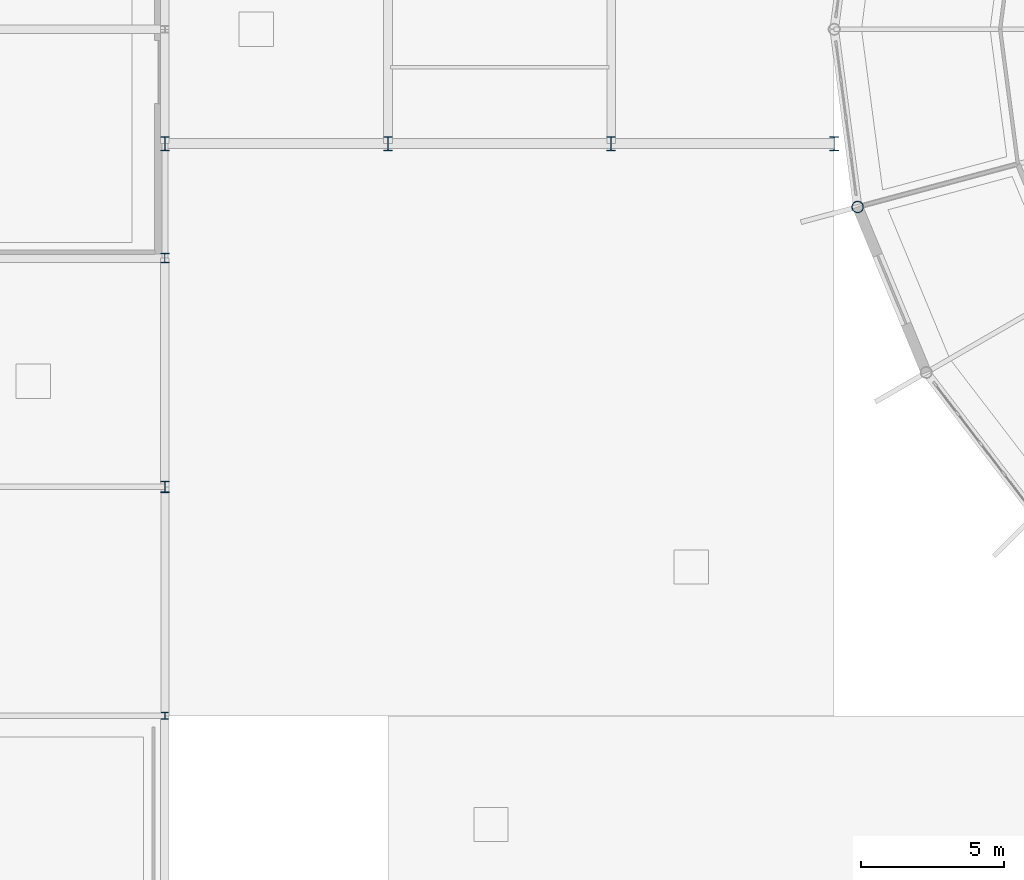
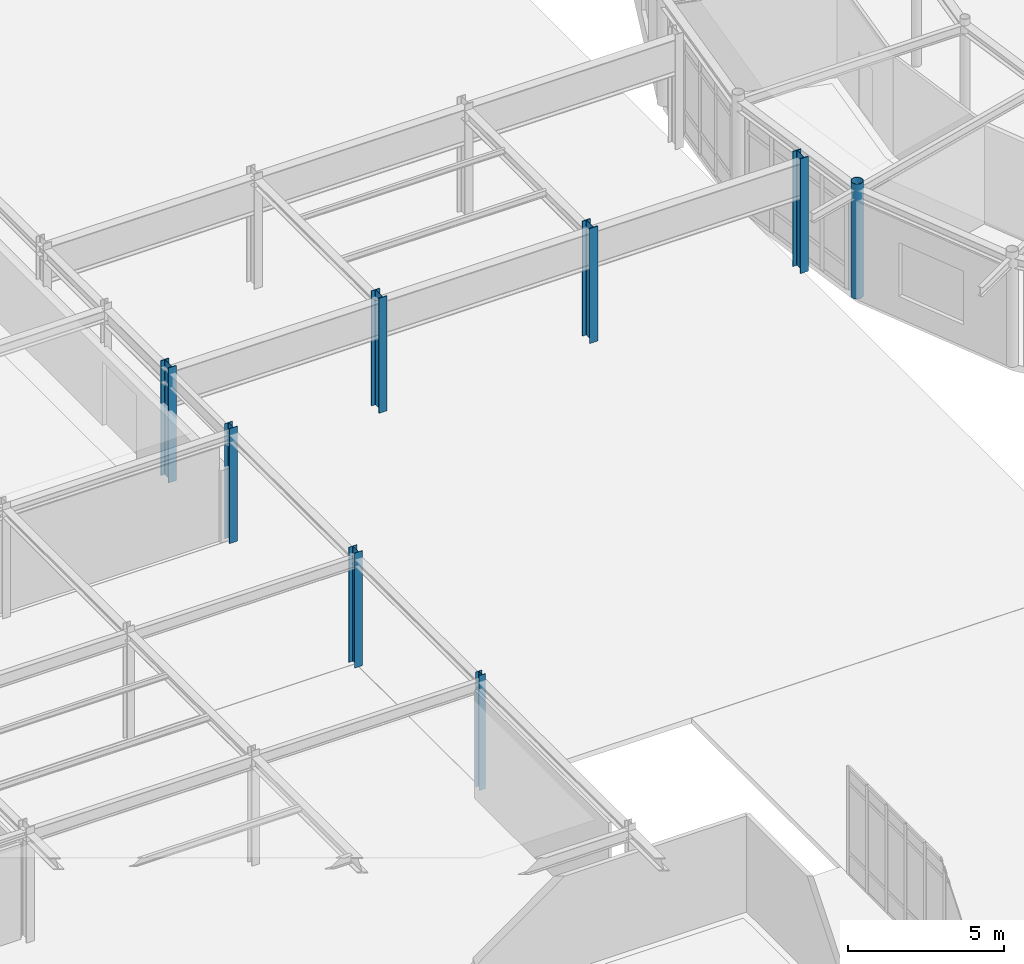
# One storey, part 6 of 101: 8 columns.
"""IFC4 building model written with IfcOpenShell, lengths in metres."""

from ifc_helpers import new_model, si_unit, derived_unit, direction, frame, origin, origin_2d, place, context, subcontext, project, spatial, hollow_circle, i_section, extrude, material, material_profile, profile_set, type_object, element, save


model = new_model("IFC4")

# Units and contexts
model_context = context("Model", 3, precision=1e-05, world=origin(), true_north=direction((0.0, 1.0)))
body_context = subcontext(model_context, "Body", "Model", "MODEL_VIEW")
ifc_project = project(units=[si_unit("LENGTHUNIT", "METRE"), si_unit("AREAUNIT", "SQUARE_METRE"), si_unit("VOLUMEUNIT", "CUBIC_METRE"), si_unit("PLANEANGLEUNIT", "RADIAN"), si_unit("MASSUNIT", "GRAM", prefix="KILO"), derived_unit("THERMALTRANSMITTANCEUNIT", [(si_unit("POWERUNIT", "WATT"), 1), (si_unit("AREAUNIT", "SQUARE_METRE"), -1), (si_unit("THERMODYNAMICTEMPERATUREUNIT", "KELVIN"), -1)])], contexts=[model_context])

# Site, building, storey
site_placement = place(None, origin())
site = spatial("IfcSite", under=ifc_project, at=site_placement, CompositionType="ELEMENT")
building_placement = place(site_placement, origin())
building = spatial("IfcBuilding", under=site, at=building_placement, Name="Yasenodar Specialist Clinic", CompositionType="ELEMENT")
storey_placement = place(building_placement, origin())
storey = spatial("IfcBuildingStorey", under=building, at=storey_placement, Name="L00", CompositionType="ELEMENT", Elevation=0.0)

# Columns
ifc_material = material(Name="Steel S355", Category="steel")
ifc_material_profile_1 = material_profile(ifc_material, hollow_circle(Radius=0.203125, WallThickness=0.01611328125, at=origin_2d()), Name="CHS 406.4x16")
ifc_profile_set_1 = profile_set([ifc_material_profile_1], Name="Steel S355")
column_type_1 = type_object("IfcColumnType", Name="COL-ST-CHS406", PredefinedType="COLUMN", material=ifc_profile_set_1)
column_1_placement = place(storey_placement, frame((57.81787109375, 52.58837890625, 0.0), z_axis=(0.0, 0.0, 1.0), x_axis=(1.0, 0.0, 0.0)))
element("IfcColumn", 1, at=column_1_placement, inside=storey, type_object=column_type_1, Name="L00 Drum V1 Outer Column 14", PredefinedType="COLUMN", context=body_context, shape_type="SweptSolid", body=[
    extrude(hollow_circle(Radius=0.203125, WallThickness=0.01611328125, at=origin_2d()), origin(), (0.0, 0.0, 1.0), 4.5),
])
ifc_material_profile_2 = material_profile(ifc_material, i_section(OverallWidth=0.300048828125, OverallDepth=0.330078125, WebThickness=0.009521484375, FlangeThickness=0.0166015625, FilletRadius=0.027099609375, at=origin_2d()), Name="HEA 340")
ifc_profile_set_2 = profile_set([ifc_material_profile_2], Name="Steel S355")
column_type_2 = type_object("IfcColumnType", Name="COL-ST-HEA340", PredefinedType="COLUMN", material=ifc_profile_set_2)
column_2_placement = place(storey_placement, frame((33.60009765625, 50.800048828125, 0.0), z_axis=(0.0, 0.0, 1.0), x_axis=(1.0, 0.0, 0.0)))
element("IfcColumn", 2, at=column_2_placement, inside=storey, type_object=column_type_2, Name="L00 Column V4-064", PredefinedType="COLUMN", context=body_context, shape_type="SweptSolid", body=[
    extrude(i_section(OverallWidth=0.300048828125, OverallDepth=0.330078125, WebThickness=0.009521484375, FlangeThickness=0.0166015625, FilletRadius=0.027099609375, at=origin_2d()), origin(), (0.0, 0.0, 1.0), 4.5),
])
ifc_material_profile_3 = material_profile(ifc_material, i_section(OverallWidth=0.300048828125, OverallDepth=0.389892578125, WebThickness=0.010986328125, FlangeThickness=0.01904296875, FilletRadius=0.027099609375, at=origin_2d()), Name="HEA 400")
ifc_profile_set_3 = profile_set([ifc_material_profile_3], Name="Steel S355")
column_type_3 = type_object("IfcColumnType", Name="COL-ST-HEA400", PredefinedType="COLUMN", material=ifc_profile_set_3)
column_3_placement = place(storey_placement, frame((33.60009765625, 42.800048828125, 0.0), z_axis=(0.0, 0.0, 1.0), x_axis=(1.0, 0.0, 0.0)))
element("IfcColumn", 3, at=column_3_placement, inside=storey, type_object=column_type_3, Name="L00 Column V4-063", PredefinedType="COLUMN", context=body_context, shape_type="SweptSolid", body=[
    extrude(i_section(OverallWidth=0.300048828125, OverallDepth=0.389892578125, WebThickness=0.010986328125, FlangeThickness=0.01904296875, FilletRadius=0.027099609375, at=origin_2d()), origin(), (0.0, 0.0, 1.0), 4.5),
])
ifc_material_profile_4 = material_profile(ifc_material, i_section(OverallWidth=0.239990234375, OverallDepth=0.239990234375, WebThickness=0.010009765625, FlangeThickness=0.01708984375, FilletRadius=0.02099609375, at=origin_2d()), Name="HEB 240")
ifc_profile_set_4 = profile_set([ifc_material_profile_4], Name="Steel S355")
column_type_4 = type_object("IfcColumnType", Name="COL-ST-HEB240", PredefinedType="COLUMN", material=ifc_profile_set_4)
column_4_placement = place(storey_placement, frame((33.60009765625, 34.800048828125, 0.0), z_axis=(0.0, 0.0, 1.0), x_axis=(1.0, 0.0, 0.0)))
element("IfcColumn", 4, at=column_4_placement, inside=storey, type_object=column_type_4, Name="L00 Column V4-062", PredefinedType="COLUMN", context=body_context, shape_type="SweptSolid", body=[
    extrude(i_section(OverallWidth=0.239990234375, OverallDepth=0.239990234375, WebThickness=0.010009765625, FlangeThickness=0.01708984375, FilletRadius=0.02099609375, at=origin_2d()), origin(), (0.0, 0.0, 1.0), 4.5),
])
ifc_material_profile_5 = material_profile(ifc_material, i_section(OverallWidth=0.300048828125, OverallDepth=0.5, WebThickness=0.014404296875, FlangeThickness=0.028076171875, FilletRadius=0.027099609375, at=origin_2d()), Name="HEB 500")
ifc_profile_set_5 = profile_set([ifc_material_profile_5], Name="Steel S355")
column_type_5 = type_object("IfcColumnType", Name="COL-ST-HEB500", PredefinedType="COLUMN", material=ifc_profile_set_5)
for number, where, z_axis, x_axis, name in (
    (5, (33.60009765625, 54.800048828125, 0.0), (0.0, 0.0, 1.0), (1.0, 0.0, 0.0), "L00 Column V6-065"),
    (6, (41.39990234375, 54.800048828125, 0.0), (0.0, 0.0, 1.0), (1.0, 0.0, 0.0), "L00 Column V6-074"),
    (7, (49.199951171875, 54.800048828125, 0.0), (0.0, 0.0, 1.0), (1.0, 0.0, 0.0), "L00 Column V6-079"),
    (8, (57.0, 54.800048828125, 0.0), (0.0, 0.0, 1.0), (1.0, 0.0, 0.0), "L00 Column V6-086"),
):
    element("IfcColumn", number, at=place(storey_placement, frame(where, z_axis=z_axis, x_axis=x_axis)), inside=storey, type_object=column_type_5, Name=name, PredefinedType="COLUMN", context=body_context, shape_type="SweptSolid", body=[
        extrude(i_section(OverallWidth=0.300048828125, OverallDepth=0.5, WebThickness=0.014404296875, FlangeThickness=0.028076171875, FilletRadius=0.027099609375, at=origin_2d()), origin(), (0.0, 0.0, 1.0), 4.5),
    ])

save(model, "model.ifc")
